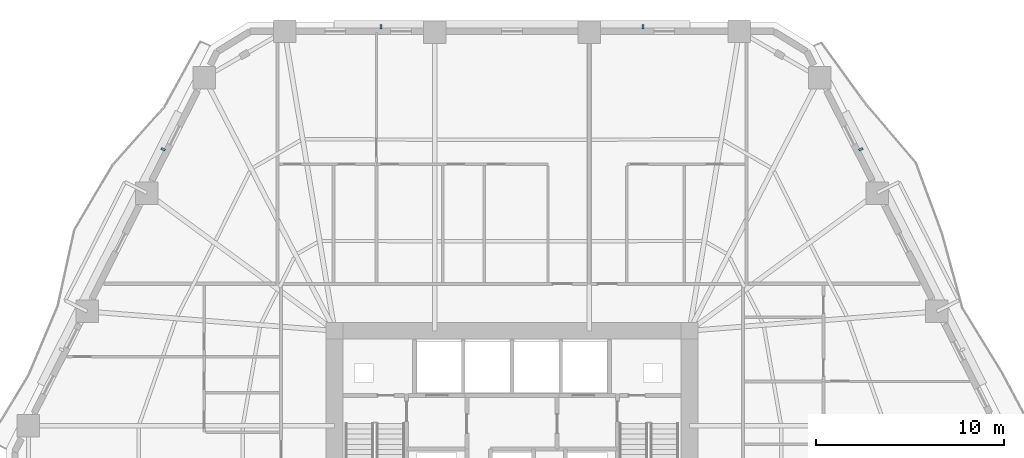
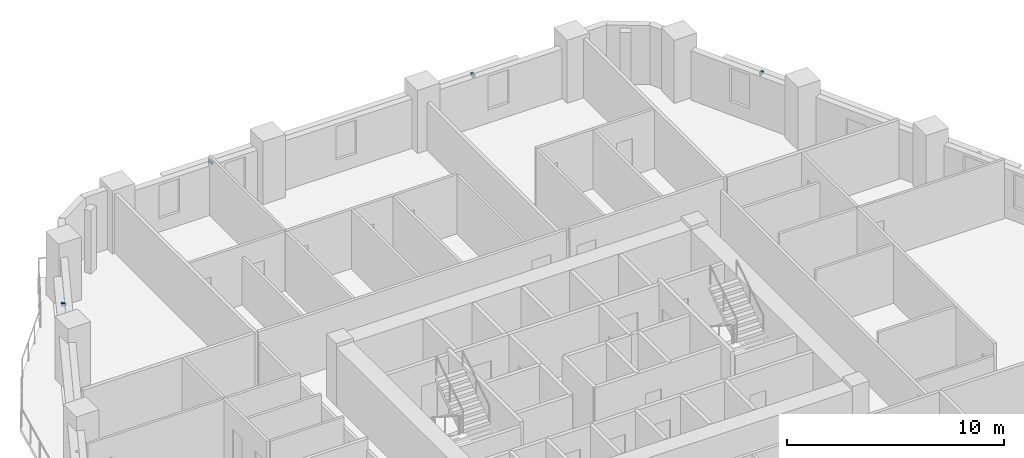
# One storey, part 10 of 14: 4 discrete accessories.
"""IFC4 building model written with IfcOpenShell, lengths in metres."""

from ifc_helpers import new_model, si_unit, direction, frame, origin, origin_2d, place, context, subcontext, project, spatial, rectangle, extrude, material, type_object, element, save


model = new_model("IFC4")

# Units and contexts
model_context = context("Model", 3, precision=1e-05, world=origin(), true_north=direction((0.0, 1.0)))
body_context = subcontext(model_context, "Body", "Model", "MODEL_VIEW")
ifc_project = project(units=[si_unit("LENGTHUNIT", "METRE"), si_unit("AREAUNIT", "SQUARE_METRE"), si_unit("VOLUMEUNIT", "CUBIC_METRE"), si_unit("PLANEANGLEUNIT", "RADIAN"), si_unit("MASSUNIT", "GRAM", prefix="KILO")], contexts=[model_context])

# Site, building, storey
site_placement = place(None, origin())
site = spatial("IfcSite", under=ifc_project, at=site_placement, CompositionType="ELEMENT")
building_placement = place(site_placement, origin())
building = spatial("IfcBuilding", under=site, at=building_placement, Name="Cinnabar Lancet Tower", CompositionType="ELEMENT")
storey_placement = place(building_placement, frame((0.0, 0.0, 35.550048828125)))
storey = spatial("IfcBuildingStorey", under=building, at=storey_placement, Name="L08", CompositionType="ELEMENT", Elevation=35.550048828125)

# Discrete accessories
ifc_material = material(Name="Stainless steel 316 facade fixing bracket", Category="steel")
discrete_accessory_type = type_object("IfcDiscreteAccessoryType", Name="ENV-ACC-BRK-180", PredefinedType="BRACKET", material=ifc_material)
for number, where, z_axis, x_axis, name in (
    (1, (50.993896484375, 43.02099609375, 2.60009765625), (0.0, 0.0, 1.0), (-0.451500573218, 0.892270829056, 0.0), "L08 Face 3 Sunshade Bracket B"),
    (2, (39.383056640625, 49.5400390625, 2.60009765625), (0.0, 0.0, 1.0), (-1.0, 0.0, 0.0), "L08 Face 4 Sunshade Bracket A"),
    (3, (25.4169921875, 49.5400390625, 2.60009765625), (0.0, 0.0, 1.0), (-1.0, 0.0, 0.0), "L08 Face 4 Sunshade Bracket B"),
    (4, (13.805908203125, 43.02099609375, 2.60009765625), (0.0, 0.0, 1.0), (-0.451500573218, -0.892270829056, 0.0), "L08 Face 5 Sunshade Bracket A"),
):
    element("IfcDiscreteAccessory", number, at=place(storey_placement, frame(where, z_axis=z_axis, x_axis=x_axis)), inside=storey, type_object=discrete_accessory_type, Name=name, PredefinedType="BRACKET", context=body_context, shape_type="SweptSolid", body=[
        extrude(rectangle(XDim=0.1201171875, YDim=0.239990234375, at=origin_2d()), origin(), (0.0, 0.0, 1.0), 0.159912109375),
    ])

save(model, "model.ifc")
